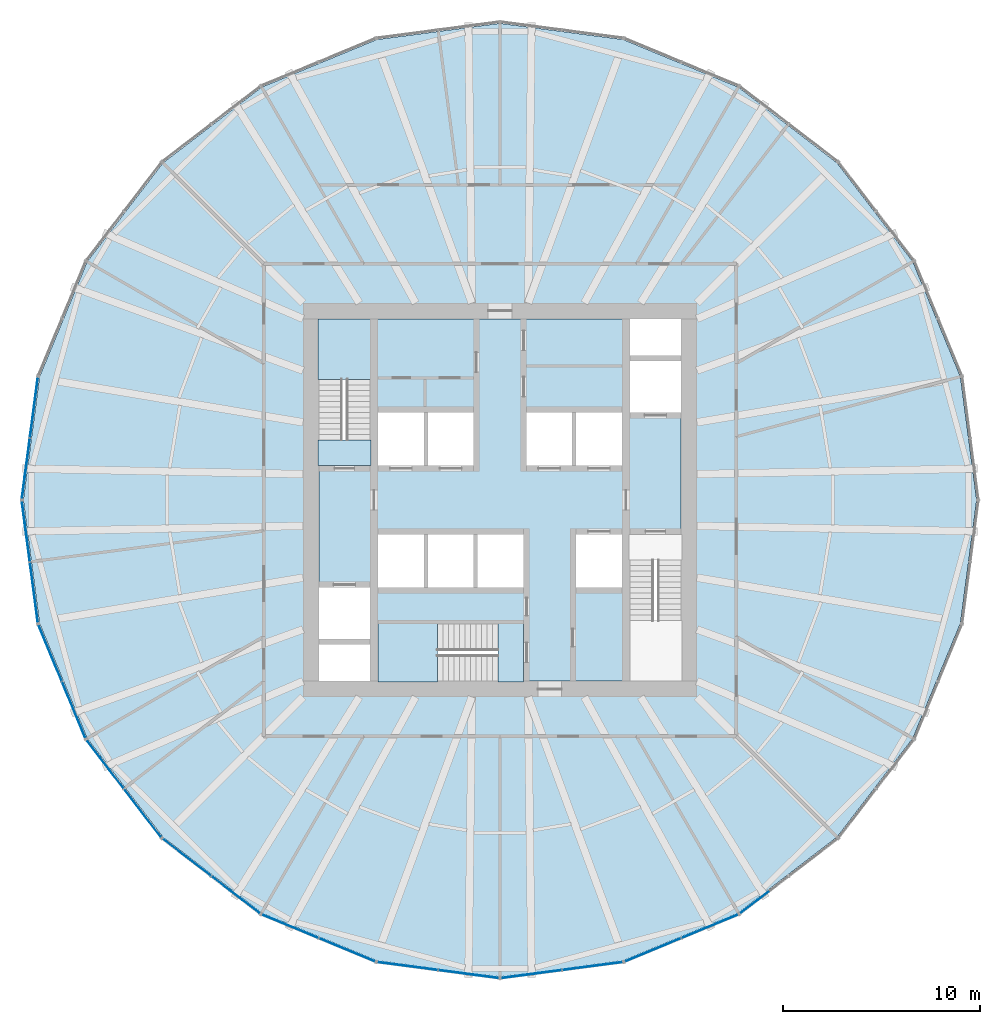
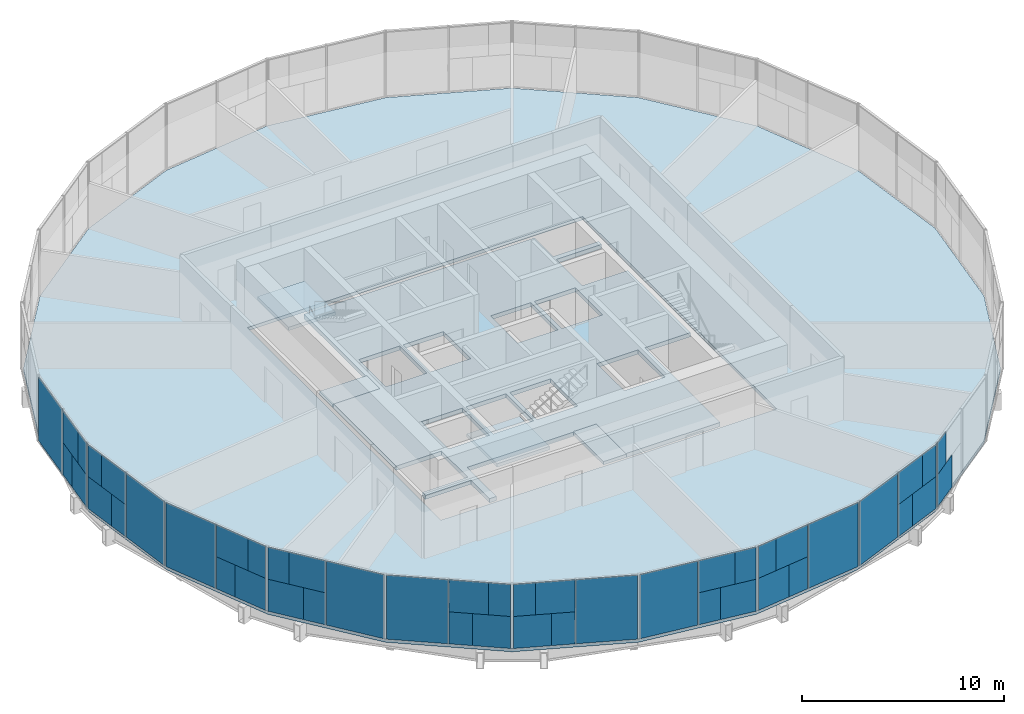
# One storey, part 8 of 13: 47 plates, 6 slabs, 12 elements without a shape of their own.
"""IFC4 building model written with IfcOpenShell, lengths in metres."""

from ifc_helpers import new_model, si_unit, direction, frame, origin, origin_2d, place, context, subcontext, project, spatial, polyline, rectangle, outline, extrude, material, layer, layer_set, type_object, element, aggregate, save


model = new_model("IFC4")

# Units and contexts
model_context = context("Model", 3, precision=1e-05, world=origin(), true_north=direction((0.0, 1.0)))
body_context = subcontext(model_context, "Body", "Model", "MODEL_VIEW")
ifc_project = project(units=[si_unit("LENGTHUNIT", "METRE"), si_unit("AREAUNIT", "SQUARE_METRE"), si_unit("VOLUMEUNIT", "CUBIC_METRE"), si_unit("PLANEANGLEUNIT", "RADIAN"), si_unit("MASSUNIT", "GRAM", prefix="KILO")], contexts=[model_context])

# Site, building, storey
site_placement = place(None, origin())
site = spatial("IfcSite", under=ifc_project, at=site_placement, CompositionType="ELEMENT")
building_placement = place(site_placement, origin())
building = spatial("IfcBuilding", under=site, at=building_placement, Name="Golbaran Civic Tower", CompositionType="ELEMENT")
storey_placement = place(building_placement, frame((0.0, 0.0, 81.0)))
storey = spatial("IfcBuildingStorey", under=building, at=storey_placement, Name="L19", CompositionType="ELEMENT", Elevation=81.0)

# Slabs
ifc_material_1 = material(Name="Concrete LC30/33 lightweight on steel deck", Category="concrete")
ifc_layer_1 = layer(ifc_material_1, 0.199951171875, Name="Concrete LC30/33 lightweight on steel deck")
ifc_layer_set_1 = layer_set([ifc_layer_1], Name="Concrete LC30/33 lightweight on steel deck")
slab_type_1 = type_object("IfcSlabType", Name="COMPOSITE FLOOR SLAB 200", PredefinedType="FLOOR", material=ifc_layer_set_1)
slab_1_placement = place(storey_placement, frame((0.0, 0.0, -0.199951171875)))
element("IfcSlab", 1, at=slab_1_placement, inside=storey, type_object=slab_type_1, Name="Floor slab L19", PredefinedType="FLOOR", context=body_context, shape_type="SweptSolid", body=[
    extrude(outline(polyline([(20.9658203125, -12.104736328125), (17.11865234375, -17.11865234375), (12.104736328125, -20.9658203125), (6.265869140625, -23.38427734375), (0.0, -24.209228515625), (-6.265869140625, -23.38427734375), (-12.104736328125, -20.9658203125), (-17.11865234375, -17.11865234375), (-20.9658203125, -12.104736328125), (-23.38427734375, -6.265869140625), (-24.209228515625, 0.0), (-23.38427734375, 6.265869140625), (-20.9658203125, 12.104736328125), (-17.11865234375, 17.11865234375), (-12.104736328125, 20.9658203125), (-6.265869140625, 23.38427734375), (0.0, 24.209228515625), (6.265869140625, 23.38427734375), (12.104736328125, 20.9658203125), (17.11865234375, 17.11865234375), (20.9658203125, 12.104736328125), (23.38427734375, 6.265869140625), (24.209228515625, 0.0), (23.38427734375, -6.265869140625), (20.9658203125, -12.104736328125)]), holes=[polyline([(-9.60009765625, 9.60009765625), (-9.60009765625, -9.60009765625), (9.60009765625, -9.60009765625), (9.60009765625, 9.60009765625), (-9.60009765625, 9.60009765625)])]), origin(), (0.0, 0.0, 1.0), 0.199951171875),
])
ifc_material_2 = material(Name="Concrete C35/45", Category="concrete")
ifc_layer_2 = layer(ifc_material_2, 0.25, Name="Concrete C35/45")
ifc_layer_set_2 = layer_set([ifc_layer_2], Name="Concrete C35/45")
slab_type_2 = type_object("IfcSlabType", Name="CORE FLOOR SLAB 250", PredefinedType="FLOOR", material=ifc_layer_set_2)
slab_2_placement = place(storey_placement, frame((0.0, 0.0, -0.25)))
element("IfcSlab", 2, at=slab_2_placement, inside=storey, type_object=slab_type_2, Name="Core floor slab L19", PredefinedType="FLOOR", context=body_context, shape_type="SweptSolid", body=[
    extrude(outline(polyline([(6.60009765625, -1.75), (6.60009765625, -9.199951171875), (1.199951171875, -9.199951171875), (1.199951171875, -6.300048828125), (-6.199951171875, -6.300048828125), (-6.199951171875, -9.199951171875), (-6.60009765625, -9.199951171875), (-6.60009765625, -7.35009765625), (-9.199951171875, -7.35009765625), (-9.199951171875, -7.050048828125), (-6.60009765625, -7.050048828125), (-6.60009765625, -4.449951171875), (-9.199951171875, -4.449951171875), (-9.199951171875, 1.75), (-6.60009765625, 1.75), (-6.60009765625, 9.199951171875), (6.60009765625, 9.199951171875), (6.60009765625, 7.35009765625), (9.199951171875, 7.35009765625), (9.199951171875, 7.050048828125), (6.60009765625, 7.050048828125), (6.60009765625, 4.449951171875), (9.199951171875, 4.449951171875), (9.199951171875, -1.75), (6.60009765625, -1.75)]), holes=[polyline([(6.199951171875, -1.75), (3.85009765625, -1.75), (3.85009765625, -4.449951171875), (6.199951171875, -4.449951171875), (6.199951171875, -1.75)]), polyline([(6.199951171875, 4.449951171875), (3.85009765625, 4.449951171875), (3.85009765625, 1.75), (6.199951171875, 1.75), (6.199951171875, 4.449951171875)]), polyline([(3.64990234375, 4.449951171875), (1.35009765625, 4.449951171875), (1.35009765625, 1.75), (3.64990234375, 1.75), (3.64990234375, 4.449951171875)]), polyline([(1.199951171875, -1.75), (-1.14990234375, -1.75), (-1.14990234375, -4.449951171875), (1.199951171875, -4.449951171875), (1.199951171875, -1.75)]), polyline([(-1.35009765625, 4.449951171875), (-3.64990234375, 4.449951171875), (-3.64990234375, 1.75), (-1.35009765625, 1.75), (-1.35009765625, 4.449951171875)]), polyline([(-1.35009765625, -1.75), (-3.64990234375, -1.75), (-3.64990234375, -4.449951171875), (-1.35009765625, -4.449951171875), (-1.35009765625, -1.75)]), polyline([(-3.85009765625, -1.75), (-6.199951171875, -1.75), (-6.199951171875, -4.449951171875), (-3.85009765625, -4.449951171875), (-3.85009765625, -1.75)]), polyline([(-3.85009765625, 4.449951171875), (-6.199951171875, 4.449951171875), (-6.199951171875, 1.75), (-3.85009765625, 1.75), (-3.85009765625, 4.449951171875)])]), origin(), (0.0, 0.0, 1.0), 0.25),
])

# Curtain wall, plates
ifc_material_3 = material(Name="Aluminium and glass", Category="aluminium")
curtain_wall_type = type_object("IfcCurtainWallType", Name="INNER SKIN CURTAIN WALL", PredefinedType="NOTDEFINED", material=ifc_material_3)
curtain_wall_1_placement = place(storey_placement, origin())
curtain_wall_1 = element("IfcCurtainWall", 3, at=curtain_wall_1_placement, inside=storey, type_object=curtain_wall_type, Name="Inner skin L19 facet 12 CW1", ObjectType="INNER SKIN", PredefinedType="USERDEFINED")
ifc_material_4 = material(Name="Clear insulating glass", Category="glass")
ifc_layer_3 = layer(ifc_material_4, 0.031982421875, Name="Clear insulating glass")
ifc_layer_set_3 = layer_set([ifc_layer_3], Name="Clear insulating glass")
plate_type_1 = type_object("IfcPlateType", Name="INNER SKIN CURTAIN WALL GLAZED PANEL", PredefinedType="CURTAIN_PANEL", material=ifc_layer_set_3)
plate_1_placement = place(storey_placement, frame((-23.67138671875, 4.698974609375, 0.06494140625), z_axis=(0.0, 0.0, 1.0), x_axis=(-0.130526192151, -0.991444861383, 0.0)))
plate_1 = element("IfcPlate", 4, at=plate_1_placement, type_object=plate_type_1, Name="CW1 panel 1.1", PredefinedType="CURTAIN_PANEL", context=body_context, shape_type="SweptSolid", body=[
    extrude(rectangle(XDim=3.072998046875, YDim=0.031982421875, at=origin_2d()), origin(), (0.0, 0.0, 1.0), 3.8701171875),
])
plate_2_placement = place(storey_placement, frame((-23.95654296875, 2.53271484375, 0.06494140625), z_axis=(0.0, 0.0, 1.0), x_axis=(-0.130526192151, -0.991444861383, 0.0)))
plate_2 = element("IfcPlate", 5, at=plate_2_placement, type_object=plate_type_1, Name="CW1 panel 2.1 part 1", PredefinedType="CURTAIN_PANEL", context=body_context, shape_type="SweptSolid", body=[
    extrude(rectangle(XDim=1.1669921875, YDim=0.031982421875, at=origin_2d()), origin(), (0.0, 0.0, 1.0), 1.93505859375),
])
plate_3_placement = place(storey_placement, frame((-24.00830078125, 2.140625, 2.0), z_axis=(0.0, 0.0, 1.0), x_axis=(-0.130526192151, -0.991444861383, 0.0)))
plate_3 = element("IfcPlate", 6, at=plate_3_placement, type_object=plate_type_1, Name="CW1 panel 2.1 part 3", PredefinedType="CURTAIN_PANEL", context=body_context, shape_type="SweptSolid", body=[
    extrude(rectangle(XDim=1.9580078125, YDim=0.031982421875, at=origin_2d()), origin(), (0.0, 0.0, 1.0), 1.93505859375),
])

curtain_wall_2_placement = place(storey_placement, origin())
curtain_wall_2 = element("IfcCurtainWall", 7, at=curtain_wall_2_placement, inside=storey, type_object=curtain_wall_type, Name="Inner skin L19 facet 13 CW1", ObjectType="INNER SKIN", PredefinedType="USERDEFINED")
plate_4_placement = place(storey_placement, frame((-23.95654296875, -2.53271484375, 0.06494140625), z_axis=(0.0, 0.0, 1.0), x_axis=(0.130526192151, -0.991444861383, 0.0)))
plate_4 = element("IfcPlate", 8, at=plate_4_placement, type_object=plate_type_1, Name="CW1 panel 1.1 part 2", PredefinedType="CURTAIN_PANEL", context=body_context, shape_type="SweptSolid", body=[
    extrude(rectangle(XDim=1.1669921875, YDim=0.031982421875, at=origin_2d()), origin(), (0.0, 0.0, 1.0), 1.93505859375),
])
plate_5_placement = place(storey_placement, frame((-24.00830078125, -2.140625, 2.0), z_axis=(0.0, 0.0, 1.0), x_axis=(0.130526192151, -0.991444861383, 0.0)))
plate_5 = element("IfcPlate", 9, at=plate_5_placement, type_object=plate_type_1, Name="CW1 panel 1.1 part 4", PredefinedType="CURTAIN_PANEL", context=body_context, shape_type="SweptSolid", body=[
    extrude(rectangle(XDim=1.9580078125, YDim=0.031982421875, at=origin_2d()), origin(), (0.0, 0.0, 1.0), 1.93505859375),
])
plate_6_placement = place(storey_placement, frame((-23.67138671875, -4.698974609375, 0.06494140625), z_axis=(0.0, 0.0, 1.0), x_axis=(0.130526192151, -0.991444861383, 0.0)))
plate_6 = element("IfcPlate", 10, at=plate_6_placement, type_object=plate_type_1, Name="CW1 panel 2.1", PredefinedType="CURTAIN_PANEL", context=body_context, shape_type="SweptSolid", body=[
    extrude(rectangle(XDim=3.072998046875, YDim=0.031982421875, at=origin_2d()), origin(), (0.0, 0.0, 1.0), 3.8701171875),
])

curtain_wall_3_placement = place(storey_placement, origin())
curtain_wall_3 = element("IfcCurtainWall", 11, at=curtain_wall_3_placement, inside=storey, type_object=curtain_wall_type, Name="Inner skin L19 facet 14 CW1", ObjectType="INNER SKIN", PredefinedType="USERDEFINED")
plate_7_placement = place(storey_placement, frame((-22.849365234375, -7.766357421875, 0.06494140625), z_axis=(0.0, 0.0, 1.0), x_axis=(0.382683432446, -0.923879532478, 0.0)))
plate_7 = element("IfcPlate", 12, at=plate_7_placement, type_object=plate_type_1, Name="CW1 panel 1.1", PredefinedType="CURTAIN_PANEL", context=body_context, shape_type="SweptSolid", body=[
    extrude(rectangle(XDim=3.072998046875, YDim=0.031982421875, at=origin_2d()), origin(), (0.0, 0.0, 1.0), 3.8701171875),
])
plate_8_placement = place(storey_placement, frame((-22.013427734375, -9.784912109375, 0.06494140625), z_axis=(0.0, 0.0, 1.0), x_axis=(0.382683432446, -0.923879532478, 0.0)))
plate_8 = element("IfcPlate", 13, at=plate_8_placement, type_object=plate_type_1, Name="CW1 panel 2.1 part 1", PredefinedType="CURTAIN_PANEL", context=body_context, shape_type="SweptSolid", body=[
    extrude(rectangle(XDim=1.1669921875, YDim=0.031982421875, at=origin_2d()), origin(), (0.0, 0.0, 1.0), 1.93505859375),
])
plate_9_placement = place(storey_placement, frame((-21.862060546875, -10.150390625, 2.0), z_axis=(0.0, 0.0, 1.0), x_axis=(0.382683432446, -0.923879532478, 0.0)))
plate_9 = element("IfcPlate", 14, at=plate_9_placement, type_object=plate_type_1, Name="CW1 panel 2.1 part 3", PredefinedType="CURTAIN_PANEL", context=body_context, shape_type="SweptSolid", body=[
    extrude(rectangle(XDim=1.9580078125, YDim=0.031982421875, at=origin_2d()), origin(), (0.0, 0.0, 1.0), 1.93505859375),
])

curtain_wall_4_placement = place(storey_placement, origin())
curtain_wall_4 = element("IfcCurtainWall", 15, at=curtain_wall_4_placement, inside=storey, type_object=curtain_wall_type, Name="Inner skin L19 facet 15 CW1", ObjectType="INNER SKIN", PredefinedType="USERDEFINED")
plate_10_placement = place(storey_placement, frame((-19.480712890625, -14.171630859375, 0.06494140625), z_axis=(0.0, 0.0, 1.0), x_axis=(0.608761429023, -0.793353340281, 0.0)))
plate_10 = element("IfcPlate", 16, at=plate_10_placement, type_object=plate_type_1, Name="CW1 panel 1.1 part 2", PredefinedType="CURTAIN_PANEL", context=body_context, shape_type="SweptSolid", body=[
    extrude(rectangle(XDim=1.1669921875, YDim=0.031982421875, at=origin_2d()), origin(), (0.0, 0.0, 1.0), 1.93505859375),
])
plate_11_placement = place(storey_placement, frame((-19.721435546875, -13.85791015625, 2.0), z_axis=(0.0, 0.0, 1.0), x_axis=(0.608761429023, -0.793353340281, 0.0)))
plate_11 = element("IfcPlate", 17, at=plate_11_placement, type_object=plate_type_1, Name="CW1 panel 1.1 part 4", PredefinedType="CURTAIN_PANEL", context=body_context, shape_type="SweptSolid", body=[
    extrude(rectangle(XDim=1.9580078125, YDim=0.031982421875, at=origin_2d()), origin(), (0.0, 0.0, 1.0), 1.93505859375),
])
plate_12_placement = place(storey_placement, frame((-18.150634765625, -15.905029296875, 0.06494140625), z_axis=(0.0, 0.0, 1.0), x_axis=(0.608761429023, -0.793353340281, 0.0)))
plate_12 = element("IfcPlate", 18, at=plate_12_placement, type_object=plate_type_1, Name="CW1 panel 2.1", PredefinedType="CURTAIN_PANEL", context=body_context, shape_type="SweptSolid", body=[
    extrude(rectangle(XDim=3.072998046875, YDim=0.031982421875, at=origin_2d()), origin(), (0.0, 0.0, 1.0), 3.8701171875),
])

curtain_wall_5_placement = place(storey_placement, origin())
curtain_wall_5 = element("IfcCurtainWall", 19, at=curtain_wall_5_placement, inside=storey, type_object=curtain_wall_type, Name="Inner skin L19 facet 16 CW1", ObjectType="INNER SKIN", PredefinedType="USERDEFINED")
plate_13_placement = place(storey_placement, frame((-15.905029296875, -18.150634765625, 0.06494140625), z_axis=(0.0, 0.0, 1.0), x_axis=(0.793353340281, -0.608761429023, 0.0)))
plate_13 = element("IfcPlate", 20, at=plate_13_placement, type_object=plate_type_1, Name="CW1 panel 1.1", PredefinedType="CURTAIN_PANEL", context=body_context, shape_type="SweptSolid", body=[
    extrude(rectangle(XDim=3.072998046875, YDim=0.031982421875, at=origin_2d()), origin(), (0.0, 0.0, 1.0), 3.8701171875),
])
plate_14_placement = place(storey_placement, frame((-14.171630859375, -19.480712890625, 0.06494140625), z_axis=(0.0, 0.0, 1.0), x_axis=(0.793353340281, -0.608761429023, 0.0)))
plate_14 = element("IfcPlate", 21, at=plate_14_placement, type_object=plate_type_1, Name="CW1 panel 2.1 part 1", PredefinedType="CURTAIN_PANEL", context=body_context, shape_type="SweptSolid", body=[
    extrude(rectangle(XDim=1.1669921875, YDim=0.031982421875, at=origin_2d()), origin(), (0.0, 0.0, 1.0), 1.93505859375),
])
plate_15_placement = place(storey_placement, frame((-13.85791015625, -19.721435546875, 2.0), z_axis=(0.0, 0.0, 1.0), x_axis=(0.793353340281, -0.608761429023, 0.0)))
plate_15 = element("IfcPlate", 22, at=plate_15_placement, type_object=plate_type_1, Name="CW1 panel 2.1 part 3", PredefinedType="CURTAIN_PANEL", context=body_context, shape_type="SweptSolid", body=[
    extrude(rectangle(XDim=1.9580078125, YDim=0.031982421875, at=origin_2d()), origin(), (0.0, 0.0, 1.0), 1.93505859375),
])

curtain_wall_6_placement = place(storey_placement, origin())
curtain_wall_6 = element("IfcCurtainWall", 23, at=curtain_wall_6_placement, inside=storey, type_object=curtain_wall_type, Name="Inner skin L19 facet 17 CW1", ObjectType="INNER SKIN", PredefinedType="USERDEFINED")
plate_16_placement = place(storey_placement, frame((-9.784912109375, -22.013427734375, 0.06494140625), z_axis=(0.0, 0.0, 1.0), x_axis=(0.923879532478, -0.382683432446, 0.0)))
plate_16 = element("IfcPlate", 24, at=plate_16_placement, type_object=plate_type_1, Name="CW1 panel 1.1 part 2", PredefinedType="CURTAIN_PANEL", context=body_context, shape_type="SweptSolid", body=[
    extrude(rectangle(XDim=1.1669921875, YDim=0.031982421875, at=origin_2d()), origin(), (0.0, 0.0, 1.0), 1.93505859375),
])
plate_17_placement = place(storey_placement, frame((-10.150390625, -21.862060546875, 2.0), z_axis=(0.0, 0.0, 1.0), x_axis=(0.923879532478, -0.382683432446, 0.0)))
plate_17 = element("IfcPlate", 25, at=plate_17_placement, type_object=plate_type_1, Name="CW1 panel 1.1 part 4", PredefinedType="CURTAIN_PANEL", context=body_context, shape_type="SweptSolid", body=[
    extrude(rectangle(XDim=1.9580078125, YDim=0.031982421875, at=origin_2d()), origin(), (0.0, 0.0, 1.0), 1.93505859375),
])
plate_18_placement = place(storey_placement, frame((-7.766357421875, -22.849365234375, 0.06494140625), z_axis=(0.0, 0.0, 1.0), x_axis=(0.923879532478, -0.382683432446, 0.0)))
plate_18 = element("IfcPlate", 26, at=plate_18_placement, type_object=plate_type_1, Name="CW1 panel 2.1", PredefinedType="CURTAIN_PANEL", context=body_context, shape_type="SweptSolid", body=[
    extrude(rectangle(XDim=3.072998046875, YDim=0.031982421875, at=origin_2d()), origin(), (0.0, 0.0, 1.0), 3.8701171875),
])

curtain_wall_7_placement = place(storey_placement, origin())
curtain_wall_7 = element("IfcCurtainWall", 27, at=curtain_wall_7_placement, inside=storey, type_object=curtain_wall_type, Name="Inner skin L19 facet 18 CW1", ObjectType="INNER SKIN", PredefinedType="USERDEFINED")
plate_19_placement = place(storey_placement, frame((-4.698974609375, -23.67138671875, 0.06494140625), z_axis=(0.0, 0.0, 1.0), x_axis=(0.991444861383, -0.130526192151, 0.0)))
plate_19 = element("IfcPlate", 28, at=plate_19_placement, type_object=plate_type_1, Name="CW1 panel 1.1", PredefinedType="CURTAIN_PANEL", context=body_context, shape_type="SweptSolid", body=[
    extrude(rectangle(XDim=3.072998046875, YDim=0.031982421875, at=origin_2d()), origin(), (0.0, 0.0, 1.0), 3.8701171875),
])
plate_20_placement = place(storey_placement, frame((-2.53271484375, -23.95654296875, 0.06494140625), z_axis=(0.0, 0.0, 1.0), x_axis=(0.991444861383, -0.130526192151, 0.0)))
plate_20 = element("IfcPlate", 29, at=plate_20_placement, type_object=plate_type_1, Name="CW1 panel 2.1 part 1", PredefinedType="CURTAIN_PANEL", context=body_context, shape_type="SweptSolid", body=[
    extrude(rectangle(XDim=1.1669921875, YDim=0.031982421875, at=origin_2d()), origin(), (0.0, 0.0, 1.0), 1.93505859375),
])
plate_21_placement = place(storey_placement, frame((-2.140625, -24.00830078125, 2.0), z_axis=(0.0, 0.0, 1.0), x_axis=(0.991444861383, -0.130526192151, 0.0)))
plate_21 = element("IfcPlate", 30, at=plate_21_placement, type_object=plate_type_1, Name="CW1 panel 2.1 part 3", PredefinedType="CURTAIN_PANEL", context=body_context, shape_type="SweptSolid", body=[
    extrude(rectangle(XDim=1.9580078125, YDim=0.031982421875, at=origin_2d()), origin(), (0.0, 0.0, 1.0), 1.93505859375),
])

curtain_wall_8_placement = place(storey_placement, origin())
curtain_wall_8 = element("IfcCurtainWall", 31, at=curtain_wall_8_placement, inside=storey, type_object=curtain_wall_type, Name="Inner skin L19 facet 19 CW1", ObjectType="INNER SKIN", PredefinedType="USERDEFINED")
plate_22_placement = place(storey_placement, frame((2.53271484375, -23.95654296875, 0.06494140625), z_axis=(0.0, 0.0, 1.0), x_axis=(0.991444861383, 0.130526192151, 0.0)))
plate_22 = element("IfcPlate", 32, at=plate_22_placement, type_object=plate_type_1, Name="CW1 panel 1.1 part 2", PredefinedType="CURTAIN_PANEL", context=body_context, shape_type="SweptSolid", body=[
    extrude(rectangle(XDim=1.1669921875, YDim=0.031982421875, at=origin_2d()), origin(), (0.0, 0.0, 1.0), 1.93505859375),
])
plate_23_placement = place(storey_placement, frame((2.140625, -24.00830078125, 2.0), z_axis=(0.0, 0.0, 1.0), x_axis=(0.991444861383, 0.130526192151, 0.0)))
plate_23 = element("IfcPlate", 33, at=plate_23_placement, type_object=plate_type_1, Name="CW1 panel 1.1 part 4", PredefinedType="CURTAIN_PANEL", context=body_context, shape_type="SweptSolid", body=[
    extrude(rectangle(XDim=1.9580078125, YDim=0.031982421875, at=origin_2d()), origin(), (0.0, 0.0, 1.0), 1.93505859375),
])
plate_24_placement = place(storey_placement, frame((4.698974609375, -23.67138671875, 0.06494140625), z_axis=(0.0, 0.0, 1.0), x_axis=(0.991444861383, 0.130526192151, 0.0)))
plate_24 = element("IfcPlate", 34, at=plate_24_placement, type_object=plate_type_1, Name="CW1 panel 2.1", PredefinedType="CURTAIN_PANEL", context=body_context, shape_type="SweptSolid", body=[
    extrude(rectangle(XDim=3.072998046875, YDim=0.031982421875, at=origin_2d()), origin(), (0.0, 0.0, 1.0), 3.8701171875),
])

curtain_wall_9_placement = place(storey_placement, origin())
curtain_wall_9 = element("IfcCurtainWall", 35, at=curtain_wall_9_placement, inside=storey, type_object=curtain_wall_type, Name="Inner skin L19 facet 20 CW1", ObjectType="INNER SKIN", PredefinedType="USERDEFINED")
plate_25_placement = place(storey_placement, frame((7.766357421875, -22.849365234375, 0.06494140625), z_axis=(0.0, 0.0, 1.0), x_axis=(0.923879532478, 0.382683432446, 0.0)))
plate_25 = element("IfcPlate", 36, at=plate_25_placement, type_object=plate_type_1, Name="CW1 panel 1.1", PredefinedType="CURTAIN_PANEL", context=body_context, shape_type="SweptSolid", body=[
    extrude(rectangle(XDim=3.072998046875, YDim=0.031982421875, at=origin_2d()), origin(), (0.0, 0.0, 1.0), 3.8701171875),
])
plate_26_placement = place(storey_placement, frame((9.784912109375, -22.013427734375, 0.06494140625), z_axis=(0.0, 0.0, 1.0), x_axis=(0.923879532478, 0.382683432446, 0.0)))
plate_26 = element("IfcPlate", 37, at=plate_26_placement, type_object=plate_type_1, Name="CW1 panel 2.1 part 1", PredefinedType="CURTAIN_PANEL", context=body_context, shape_type="SweptSolid", body=[
    extrude(rectangle(XDim=1.1669921875, YDim=0.031982421875, at=origin_2d()), origin(), (0.0, 0.0, 1.0), 1.93505859375),
])
plate_27_placement = place(storey_placement, frame((10.150390625, -21.862060546875, 2.0), z_axis=(0.0, 0.0, 1.0), x_axis=(0.923879532478, 0.382683432446, 0.0)))
plate_27 = element("IfcPlate", 38, at=plate_27_placement, type_object=plate_type_1, Name="CW1 panel 2.1 part 3", PredefinedType="CURTAIN_PANEL", context=body_context, shape_type="SweptSolid", body=[
    extrude(rectangle(XDim=1.9580078125, YDim=0.031982421875, at=origin_2d()), origin(), (0.0, 0.0, 1.0), 1.93505859375),
])

# Plate
ifc_material_5 = material(Name="Aluminium faced opaque infill panel", Category="aluminium")
ifc_layer_4 = layer(ifc_material_5, 0.031982421875, Name="Aluminium faced opaque infill panel")
ifc_layer_set_4 = layer_set([ifc_layer_4], Name="Aluminium faced opaque infill panel")
plate_type_2 = type_object("IfcPlateType", Name="INNER SKIN CURTAIN WALL OPAQUE INFILL PANEL", PredefinedType="CURTAIN_PANEL", material=ifc_layer_set_4)
plate_28_placement = place(storey_placement, frame((-24.1572265625, 1.00927734375, 0.06494140625), z_axis=(0.0, 0.0, 1.0), x_axis=(-0.130526192151, -0.991444861383, 0.0)))
plate_28 = element("IfcPlate", 39, at=plate_28_placement, type_object=plate_type_2, Name="CW1 infill panel 2.1 part 2", PredefinedType="CURTAIN_PANEL", context=body_context, shape_type="SweptSolid", body=[
    extrude(rectangle(XDim=1.906005859375, YDim=0.031982421875, at=origin_2d()), origin(), (0.0, 0.0, 1.0), 1.93505859375),
])

plate_29_placement = place(storey_placement, frame((-24.208740234375, 0.6171875, 2.0), z_axis=(0.0, 0.0, 1.0), x_axis=(-0.130526192151, -0.991444861383, 0.0)))
plate_29 = element("IfcPlate", 40, at=plate_29_placement, type_object=plate_type_2, Name="CW1 infill panel 2.1 part 4", PredefinedType="CURTAIN_PANEL", context=body_context, shape_type="SweptSolid", body=[
    extrude(rectangle(XDim=1.114990234375, YDim=0.031982421875, at=origin_2d()), origin(), (0.0, 0.0, 1.0), 1.93505859375),
])

aggregate(curtain_wall_1, [plate_1, plate_2, plate_28, plate_3, plate_29])

plate_30_placement = place(storey_placement, frame((-24.1572265625, -1.00927734375, 0.06494140625), z_axis=(0.0, 0.0, 1.0), x_axis=(0.130526192151, -0.991444861383, 0.0)))
plate_30 = element("IfcPlate", 41, at=plate_30_placement, type_object=plate_type_2, Name="CW1 infill panel 1.1 part 1", PredefinedType="CURTAIN_PANEL", context=body_context, shape_type="SweptSolid", body=[
    extrude(rectangle(XDim=1.906005859375, YDim=0.031982421875, at=origin_2d()), origin(), (0.0, 0.0, 1.0), 1.93505859375),
])

plate_31_placement = place(storey_placement, frame((-24.208740234375, -0.6171875, 2.0), z_axis=(0.0, 0.0, 1.0), x_axis=(0.130526192151, -0.991444861383, 0.0)))
plate_31 = element("IfcPlate", 42, at=plate_31_placement, type_object=plate_type_2, Name="CW1 infill panel 1.1 part 3", PredefinedType="CURTAIN_PANEL", context=body_context, shape_type="SweptSolid", body=[
    extrude(rectangle(XDim=1.114990234375, YDim=0.031982421875, at=origin_2d()), origin(), (0.0, 0.0, 1.0), 1.93505859375),
])

aggregate(curtain_wall_2, [plate_30, plate_4, plate_31, plate_5, plate_6])

plate_32_placement = place(storey_placement, frame((-21.42529296875, -11.20458984375, 0.06494140625), z_axis=(0.0, 0.0, 1.0), x_axis=(0.382683432446, -0.923879532478, 0.0)))
plate_32 = element("IfcPlate", 43, at=plate_32_placement, type_object=plate_type_2, Name="CW1 infill panel 2.1 part 2", PredefinedType="CURTAIN_PANEL", context=body_context, shape_type="SweptSolid", body=[
    extrude(rectangle(XDim=1.906005859375, YDim=0.031982421875, at=origin_2d()), origin(), (0.0, 0.0, 1.0), 1.93505859375),
])

plate_33_placement = place(storey_placement, frame((-21.27392578125, -11.56982421875, 2.0), z_axis=(0.0, 0.0, 1.0), x_axis=(0.382683432446, -0.923879532478, 0.0)))
plate_33 = element("IfcPlate", 44, at=plate_33_placement, type_object=plate_type_2, Name="CW1 infill panel 2.1 part 4", PredefinedType="CURTAIN_PANEL", context=body_context, shape_type="SweptSolid", body=[
    extrude(rectangle(XDim=1.114990234375, YDim=0.031982421875, at=origin_2d()), origin(), (0.0, 0.0, 1.0), 1.93505859375),
])

aggregate(curtain_wall_3, [plate_7, plate_8, plate_32, plate_9, plate_33])

plate_34_placement = place(storey_placement, frame((-20.416015625, -12.95263671875, 0.06494140625), z_axis=(0.0, 0.0, 1.0), x_axis=(0.608761429023, -0.793353340281, 0.0)))
plate_34 = element("IfcPlate", 45, at=plate_34_placement, type_object=plate_type_2, Name="CW1 infill panel 1.1 part 1", PredefinedType="CURTAIN_PANEL", context=body_context, shape_type="SweptSolid", body=[
    extrude(rectangle(XDim=1.906005859375, YDim=0.031982421875, at=origin_2d()), origin(), (0.0, 0.0, 1.0), 1.93505859375),
])

plate_35_placement = place(storey_placement, frame((-20.65673828125, -12.638916015625, 2.0), z_axis=(0.0, 0.0, 1.0), x_axis=(0.608761429023, -0.793353340281, 0.0)))
plate_35 = element("IfcPlate", 46, at=plate_35_placement, type_object=plate_type_2, Name="CW1 infill panel 1.1 part 3", PredefinedType="CURTAIN_PANEL", context=body_context, shape_type="SweptSolid", body=[
    extrude(rectangle(XDim=1.114990234375, YDim=0.031982421875, at=origin_2d()), origin(), (0.0, 0.0, 1.0), 1.93505859375),
])

aggregate(curtain_wall_4, [plate_34, plate_10, plate_35, plate_11, plate_12])

plate_36_placement = place(storey_placement, frame((-12.95263671875, -20.416015625, 0.06494140625), z_axis=(0.0, 0.0, 1.0), x_axis=(0.793353340281, -0.608761429023, 0.0)))
plate_36 = element("IfcPlate", 47, at=plate_36_placement, type_object=plate_type_2, Name="CW1 infill panel 2.1 part 2", PredefinedType="CURTAIN_PANEL", context=body_context, shape_type="SweptSolid", body=[
    extrude(rectangle(XDim=1.906005859375, YDim=0.031982421875, at=origin_2d()), origin(), (0.0, 0.0, 1.0), 1.93505859375),
])

plate_37_placement = place(storey_placement, frame((-12.638916015625, -20.65673828125, 2.0), z_axis=(0.0, 0.0, 1.0), x_axis=(0.793353340281, -0.608761429023, 0.0)))
plate_37 = element("IfcPlate", 48, at=plate_37_placement, type_object=plate_type_2, Name="CW1 infill panel 2.1 part 4", PredefinedType="CURTAIN_PANEL", context=body_context, shape_type="SweptSolid", body=[
    extrude(rectangle(XDim=1.114990234375, YDim=0.031982421875, at=origin_2d()), origin(), (0.0, 0.0, 1.0), 1.93505859375),
])

aggregate(curtain_wall_5, [plate_13, plate_14, plate_36, plate_15, plate_37])

plate_38_placement = place(storey_placement, frame((-11.20458984375, -21.42529296875, 0.06494140625), z_axis=(0.0, 0.0, 1.0), x_axis=(0.923879532478, -0.382683432446, 0.0)))
plate_38 = element("IfcPlate", 49, at=plate_38_placement, type_object=plate_type_2, Name="CW1 infill panel 1.1 part 1", PredefinedType="CURTAIN_PANEL", context=body_context, shape_type="SweptSolid", body=[
    extrude(rectangle(XDim=1.906005859375, YDim=0.031982421875, at=origin_2d()), origin(), (0.0, 0.0, 1.0), 1.93505859375),
])

plate_39_placement = place(storey_placement, frame((-11.56982421875, -21.27392578125, 2.0), z_axis=(0.0, 0.0, 1.0), x_axis=(0.923879532478, -0.382683432446, 0.0)))
plate_39 = element("IfcPlate", 50, at=plate_39_placement, type_object=plate_type_2, Name="CW1 infill panel 1.1 part 3", PredefinedType="CURTAIN_PANEL", context=body_context, shape_type="SweptSolid", body=[
    extrude(rectangle(XDim=1.114990234375, YDim=0.031982421875, at=origin_2d()), origin(), (0.0, 0.0, 1.0), 1.93505859375),
])

aggregate(curtain_wall_6, [plate_38, plate_16, plate_39, plate_17, plate_18])

plate_40_placement = place(storey_placement, frame((-1.00927734375, -24.1572265625, 0.06494140625), z_axis=(0.0, 0.0, 1.0), x_axis=(0.991444861383, -0.130526192151, 0.0)))
plate_40 = element("IfcPlate", 51, at=plate_40_placement, type_object=plate_type_2, Name="CW1 infill panel 2.1 part 2", PredefinedType="CURTAIN_PANEL", context=body_context, shape_type="SweptSolid", body=[
    extrude(rectangle(XDim=1.906005859375, YDim=0.031982421875, at=origin_2d()), origin(), (0.0, 0.0, 1.0), 1.93505859375),
])

plate_41_placement = place(storey_placement, frame((-0.6171875, -24.208740234375, 2.0), z_axis=(0.0, 0.0, 1.0), x_axis=(0.991444861383, -0.130526192151, 0.0)))
plate_41 = element("IfcPlate", 52, at=plate_41_placement, type_object=plate_type_2, Name="CW1 infill panel 2.1 part 4", PredefinedType="CURTAIN_PANEL", context=body_context, shape_type="SweptSolid", body=[
    extrude(rectangle(XDim=1.114990234375, YDim=0.031982421875, at=origin_2d()), origin(), (0.0, 0.0, 1.0), 1.93505859375),
])

aggregate(curtain_wall_7, [plate_19, plate_20, plate_40, plate_21, plate_41])

plate_42_placement = place(storey_placement, frame((1.00927734375, -24.1572265625, 0.06494140625), z_axis=(0.0, 0.0, 1.0), x_axis=(0.991444861383, 0.130526192151, 0.0)))
plate_42 = element("IfcPlate", 53, at=plate_42_placement, type_object=plate_type_2, Name="CW1 infill panel 1.1 part 1", PredefinedType="CURTAIN_PANEL", context=body_context, shape_type="SweptSolid", body=[
    extrude(rectangle(XDim=1.906005859375, YDim=0.031982421875, at=origin_2d()), origin(), (0.0, 0.0, 1.0), 1.93505859375),
])

plate_43_placement = place(storey_placement, frame((0.6171875, -24.208740234375, 2.0), z_axis=(0.0, 0.0, 1.0), x_axis=(0.991444861383, 0.130526192151, 0.0)))
plate_43 = element("IfcPlate", 54, at=plate_43_placement, type_object=plate_type_2, Name="CW1 infill panel 1.1 part 3", PredefinedType="CURTAIN_PANEL", context=body_context, shape_type="SweptSolid", body=[
    extrude(rectangle(XDim=1.114990234375, YDim=0.031982421875, at=origin_2d()), origin(), (0.0, 0.0, 1.0), 1.93505859375),
])

aggregate(curtain_wall_8, [plate_42, plate_22, plate_43, plate_23, plate_24])

plate_44_placement = place(storey_placement, frame((11.20458984375, -21.42529296875, 0.06494140625), z_axis=(0.0, 0.0, 1.0), x_axis=(0.923879532478, 0.382683432446, 0.0)))
plate_44 = element("IfcPlate", 55, at=plate_44_placement, type_object=plate_type_2, Name="CW1 infill panel 2.1 part 2", PredefinedType="CURTAIN_PANEL", context=body_context, shape_type="SweptSolid", body=[
    extrude(rectangle(XDim=1.906005859375, YDim=0.031982421875, at=origin_2d()), origin(), (0.0, 0.0, 1.0), 1.93505859375),
])

plate_45_placement = place(storey_placement, frame((11.56982421875, -21.27392578125, 2.0), z_axis=(0.0, 0.0, 1.0), x_axis=(0.923879532478, 0.382683432446, 0.0)))
plate_45 = element("IfcPlate", 56, at=plate_45_placement, type_object=plate_type_2, Name="CW1 infill panel 2.1 part 4", PredefinedType="CURTAIN_PANEL", context=body_context, shape_type="SweptSolid", body=[
    extrude(rectangle(XDim=1.114990234375, YDim=0.031982421875, at=origin_2d()), origin(), (0.0, 0.0, 1.0), 1.93505859375),
])

aggregate(curtain_wall_9, [plate_25, plate_26, plate_44, plate_27, plate_45])

# Curtain wall, plates
curtain_wall_10_placement = place(storey_placement, origin())
curtain_wall_10 = element("IfcCurtainWall", 57, at=curtain_wall_10_placement, inside=storey, type_object=curtain_wall_type, Name="Inner skin L19 facet 21 CW1", ObjectType="INNER SKIN", PredefinedType="USERDEFINED")
plate_46_placement = place(storey_placement, frame((12.95263671875, -20.416015625, 0.06494140625), z_axis=(0.0, 0.0, 1.0), x_axis=(0.793353340281, 0.608761429023, 0.0)))
plate_46 = element("IfcPlate", 58, at=plate_46_placement, type_object=plate_type_2, Name="CW1 infill panel 1.1 part 1", PredefinedType="CURTAIN_PANEL", context=body_context, shape_type="SweptSolid", body=[
    extrude(rectangle(XDim=1.906005859375, YDim=0.031982421875, at=origin_2d()), origin(), (0.0, 0.0, 1.0), 1.93505859375),
])
plate_47_placement = place(storey_placement, frame((12.638916015625, -20.65673828125, 2.0), z_axis=(0.0, 0.0, 1.0), x_axis=(0.793353340281, 0.608761429023, 0.0)))
plate_47 = element("IfcPlate", 59, at=plate_47_placement, type_object=plate_type_2, Name="CW1 infill panel 1.1 part 3", PredefinedType="CURTAIN_PANEL", context=body_context, shape_type="SweptSolid", body=[
    extrude(rectangle(XDim=1.114990234375, YDim=0.031982421875, at=origin_2d()), origin(), (0.0, 0.0, 1.0), 1.93505859375),
])
aggregate(curtain_wall_10, [plate_46, plate_47])

# Stair, slab
stair_type_1 = type_object("IfcStairType", Name="EXIT STAIR 2600 x 7450, 4000 RISE", PredefinedType="HALF_TURN_STAIR", material=ifc_material_2)
stair_1_placement = place(storey_placement, origin())
stair_1 = element("IfcStair", 60, at=stair_1_placement, inside=storey, type_object=stair_type_1, Name="Stair S1 L19", PredefinedType="HALF_TURN_STAIR")
ifc_layer_5 = layer(ifc_material_2, 0.199951171875, Name="Concrete C35/45")
ifc_layer_set_5 = layer_set([ifc_layer_5], Name="Concrete C35/45")
slab_type_3 = type_object("IfcSlabType", Name="STAIR LANDING 200", PredefinedType="LANDING", material=ifc_layer_set_5)
slab_3_placement = place(storey_placement, frame((0.0, 0.0, 1.800048828125)))
slab_3 = element("IfcSlab", 61, at=slab_3_placement, type_object=slab_type_3, Name="ST26074-40 landing 1", PredefinedType="LANDING", context=body_context, shape_type="SweptSolid", body=[
    extrude(outline(polyline([(-9.25, 6.125), (-9.25, 9.199951171875), (-6.550048828125, 9.199951171875), (-6.550048828125, 6.125), (-9.25, 6.125)])), origin(), (0.0, 0.0, 1.0), 0.199951171875),
])
aggregate(stair_1, [slab_3])

# Slab
slab_4_placement = place(storey_placement, frame((0.0, 0.0, -0.199951171875)))
element("IfcSlab", 62, at=slab_4_placement, inside=storey, type_object=slab_type_3, Name="Stair S1 floor landing L19", PredefinedType="LANDING", context=body_context, shape_type="SweptSolid", body=[
    extrude(outline(polyline([(-9.25, 1.75), (-9.25, 3.054931640625), (-6.550048828125, 3.054931640625), (-6.550048828125, 1.75), (-9.25, 1.75)])), origin(), (0.0, 0.0, 1.0), 0.199951171875),
])

# Stair, slab
stair_type_2 = type_object("IfcStairType", Name="EXIT STAIR 2900 x 7400, 4000 RISE", PredefinedType="HALF_TURN_STAIR", material=ifc_material_2)
stair_2_placement = place(storey_placement, origin())
stair_2 = element("IfcStair", 63, at=stair_2_placement, inside=storey, type_object=stair_type_2, Name="Stair S3 L19", PredefinedType="HALF_TURN_STAIR")
slab_5_placement = place(storey_placement, frame((0.0, 0.0, 1.800048828125)))
slab_5 = element("IfcSlab", 64, at=slab_5_placement, type_object=slab_type_3, Name="ST29074-40 landing 1", PredefinedType="LANDING", context=body_context, shape_type="SweptSolid", body=[
    extrude(outline(polyline([(-3.175048828125, -9.25), (-6.199951171875, -9.25), (-6.199951171875, -6.25), (-3.175048828125, -6.25), (-3.175048828125, -9.25)])), origin(), (0.0, 0.0, 1.0), 0.199951171875),
])
aggregate(stair_2, [slab_5])

# Slab
slab_6_placement = place(storey_placement, frame((0.0, 0.0, -0.199951171875)))
element("IfcSlab", 65, at=slab_6_placement, inside=storey, type_object=slab_type_3, Name="Stair S3 floor landing L19", PredefinedType="LANDING", context=body_context, shape_type="SweptSolid", body=[
    extrude(outline(polyline([(1.199951171875, -9.25), (-0.10498046875, -9.25), (-0.10498046875, -6.25), (1.199951171875, -6.25), (1.199951171875, -9.25)])), origin(), (0.0, 0.0, 1.0), 0.199951171875),
])

save(model, "model.ifc")
